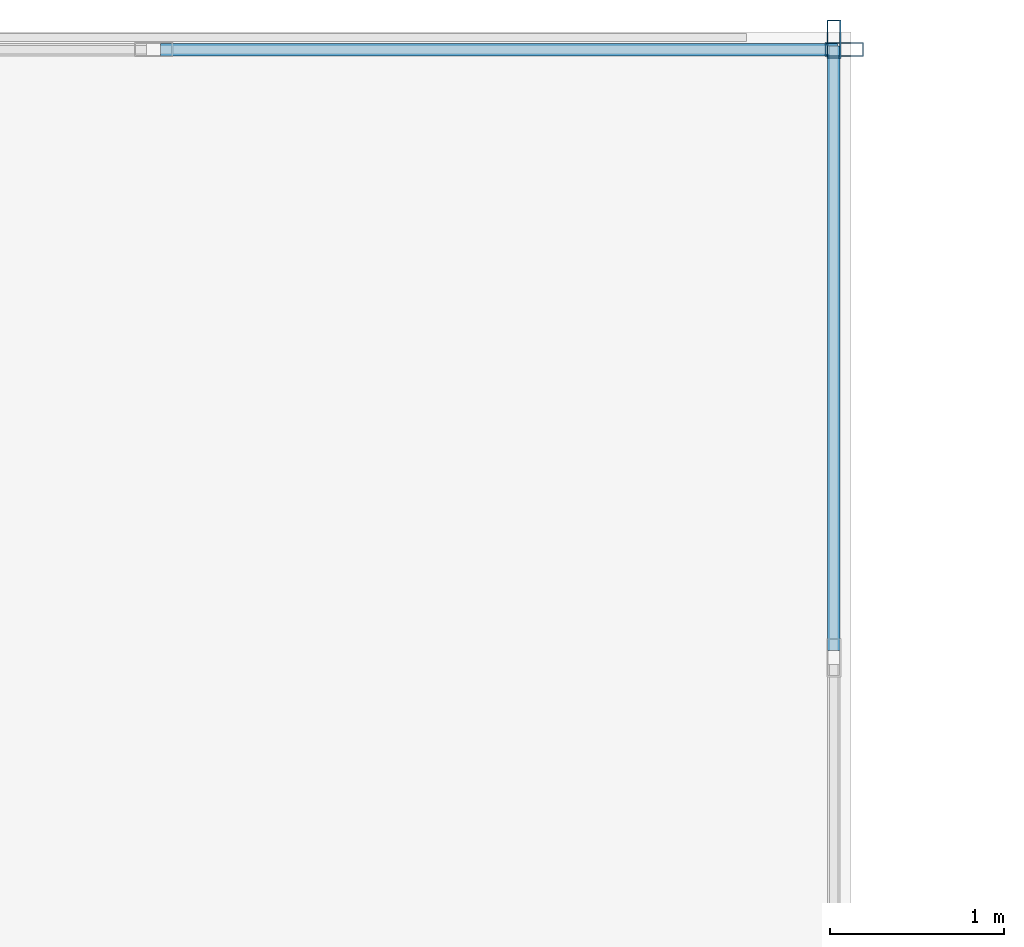
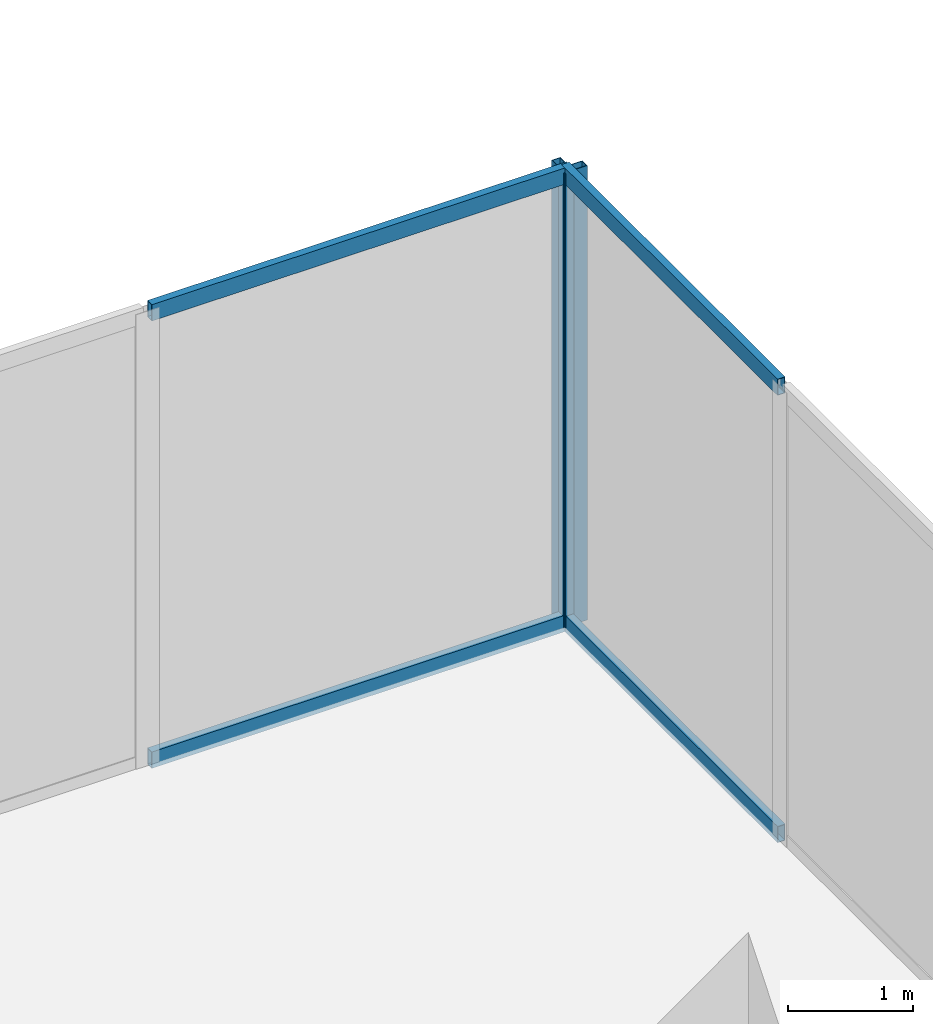
# One storey, part 16 of 32: 6 members, 2 elements without a shape of their own.
"""IFC4 building model written with IfcOpenShell, lengths in metres."""

from ifc_helpers import new_model, si_unit, direction, frame, origin, origin_2d, place, context, subcontext, project, spatial, hollow_rectangle, extrude, source, transform, mapped, material, layer, layer_set, material_profile, profile_set, type_object, type_shapes, element, aggregate, save


model = new_model("IFC4")

# Units and contexts
model_context = context("Model", 3, precision=1e-05, world=origin(), true_north=direction((0.0, 1.0)))
body_context = subcontext(model_context, "Body", "Model", "MODEL_VIEW")
ifc_project = project(units=[si_unit("LENGTHUNIT", "METRE"), si_unit("AREAUNIT", "SQUARE_METRE"), si_unit("VOLUMEUNIT", "CUBIC_METRE"), si_unit("PLANEANGLEUNIT", "RADIAN"), si_unit("MASSUNIT", "GRAM", prefix="KILO")], contexts=[model_context])

# Site, building, storey
site_placement = place(None, origin())
site = spatial("IfcSite", under=ifc_project, at=site_placement, CompositionType="ELEMENT")
building_placement = place(site_placement, origin())
building = spatial("IfcBuilding", under=site, at=building_placement, Name="Haelvirn Gate Laboratories", CompositionType="ELEMENT")
storey_placement = place(building_placement, frame((0.0, 0.0, 5.39990234375)))
storey = spatial("IfcBuildingStorey", under=building, at=storey_placement, Name="L02", CompositionType="ELEMENT", Elevation=5.39990234375)

# Curtain wall, member
ifc_material_1 = material(Name="Anodised bronze unitised aluminium & triple low-E glass", Category="aluminium")
ifc_layer = layer(ifc_material_1, 0.18798828125, Name="CW-SYS-1")
ifc_layer_set = layer_set([ifc_layer], Name="Anodised bronze unitised aluminium & triple low-E glass")
curtain_wall_type = type_object("IfcCurtainWallType", Name="CW-SYS-1", PredefinedType="NOTDEFINED", material=ifc_layer_set)
curtain_wall_1_placement = place(storey_placement, origin())
curtain_wall_1 = element("IfcCurtainWall", 1, at=curtain_wall_1_placement, inside=storey, type_object=curtain_wall_type, Name="L02 Unitised Curtain Wall CW-L02-P0-E01", PredefinedType="NOTDEFINED")
ifc_material_2 = material(Name="Extruded aluminium 6063-T6 (anodised bronze)", Category="aluminium")
ifc_material_profile_1 = material_profile(ifc_material_2, hollow_rectangle(XDim=0.080078125, YDim=0.219970703125, WallThickness=0.006103515625, at=origin_2d()), Name="CWM-220x80x6")
ifc_profile_set_1 = profile_set([ifc_material_profile_1], Name="Extruded aluminium 6063-T6 (anodised bronze)")
member_type_1 = type_object("IfcMemberType", Name="CWM-T220", PredefinedType="MULLION", material=ifc_profile_set_1)
shared_shape_1 = source(origin(), body_context, "Body", "SweptSolid", [
    extrude(hollow_rectangle(XDim=0.080078125, YDim=0.219970703125, WallThickness=0.006103515625, at=origin_2d()), origin(), (0.0, 0.0, 1.0), 4.4501953125),
])
type_shapes(member_type_1, [shared_shape_1])
member_1_placement = place(storey_placement, frame((25.300048828125, 49.360107421875, 0.0), z_axis=(0.0, 0.0, 1.0), x_axis=(-1.0, 0.0, 0.0)))
member_1 = element("IfcMember", 2, at=member_1_placement, type_object=member_type_1, Name="CW1 mullion 15", PredefinedType="MULLION", context=body_context, shape_type="MappedRepresentation", body=[
    mapped(shared_shape_1, transform((0.0, 0.0, 0.0), scale=1.0)),
])

curtain_wall_2_placement = place(storey_placement, origin())
curtain_wall_2 = element("IfcCurtainWall", 3, at=curtain_wall_2_placement, inside=storey, type_object=curtain_wall_type, Name="L02 Unitised Curtain Wall CW-L02-P0-E02-1", PredefinedType="NOTDEFINED")
member_2_placement = place(storey_placement, frame((25.360107421875, 49.300048828125, 0.0), z_axis=(0.0, 0.0, 1.0), x_axis=(0.0, 1.0, 0.0)))
member_2 = element("IfcMember", 4, at=member_2_placement, type_object=member_type_1, Name="CW1 mullion 7", PredefinedType="MULLION", context=body_context, shape_type="MappedRepresentation", body=[
    mapped(shared_shape_1, transform((0.0, 0.0, 0.0), scale=1.0)),
])

# Member
ifc_material_profile_2 = material_profile(ifc_material_2, hollow_rectangle(XDim=0.070068359375, YDim=0.159912109375, WallThickness=0.0048828125, at=origin_2d()), Name="CWT-160x70x5")
ifc_profile_set_2 = profile_set([ifc_material_profile_2], Name="Extruded aluminium 6063-T6 (anodised bronze)")
member_type_2 = type_object("IfcMemberType", Name="CWT-T160", PredefinedType="USERDEFINED", material=ifc_profile_set_2)
shared_shape_2 = source(origin(), body_context, "Body", "SweptSolid", [
    extrude(hollow_rectangle(XDim=0.070068359375, YDim=0.159912109375, WallThickness=0.0048828125, at=origin_2d()), origin(), (0.0, 0.0, 1.0), 3.4658203125),
])
member_3_placement = place(storey_placement, frame((25.300048828125, 45.854248046875, 0.03515625), z_axis=(0.0, 1.0, 0.0), x_axis=(-1.0, 0.0, 0.0)))
member_3 = element("IfcMember", 5, at=member_3_placement, type_object=member_type_2, Name="CW1 transom 14.1", ObjectType="TRANSOM", PredefinedType="USERDEFINED", context=body_context, shape_type="MappedRepresentation", body=[
    mapped(shared_shape_2, transform((0.0, 0.0, 0.0), scale=1.0)),
])

member_4_placement = place(storey_placement, frame((25.300048828125, 45.854248046875, 4.4150390625), z_axis=(0.0, 1.0, 0.0), x_axis=(-1.0, 0.0, 0.0)))
member_4 = element("IfcMember", 6, at=member_4_placement, type_object=member_type_2, Name="CW1 transom 14.2", ObjectType="TRANSOM", PredefinedType="USERDEFINED", context=body_context, shape_type="MappedRepresentation", body=[
    mapped(shared_shape_2, transform((0.0, 0.0, 0.0), scale=1.0)),
])

aggregate(curtain_wall_1, [member_1, member_3, member_4])

shared_shape_3 = source(origin(), body_context, "Body", "SweptSolid", [
    extrude(hollow_rectangle(XDim=0.070068359375, YDim=0.159912109375, WallThickness=0.0048828125, at=origin_2d()), origin(), (0.0, 0.0, 1.0), 3.880126953125),
])
type_shapes(member_type_2, [shared_shape_2, shared_shape_3])
member_5_placement = place(storey_placement, frame((21.43994140625, 49.300048828125, 0.03515625), z_axis=(1.0, 0.0, 0.0), x_axis=(0.0, 1.0, 0.0)))
member_5 = element("IfcMember", 7, at=member_5_placement, type_object=member_type_2, Name="CW1 transom 6.1", ObjectType="TRANSOM", PredefinedType="USERDEFINED", context=body_context, shape_type="MappedRepresentation", body=[
    mapped(shared_shape_3, transform((0.0, 0.0, 0.0), scale=1.0)),
])

member_6_placement = place(storey_placement, frame((21.43994140625, 49.300048828125, 4.4150390625), z_axis=(1.0, 0.0, 0.0), x_axis=(0.0, 1.0, 0.0)))
member_6 = element("IfcMember", 8, at=member_6_placement, type_object=member_type_2, Name="CW1 transom 6.2", ObjectType="TRANSOM", PredefinedType="USERDEFINED", context=body_context, shape_type="MappedRepresentation", body=[
    mapped(shared_shape_3, transform((0.0, 0.0, 0.0), scale=1.0)),
])

aggregate(curtain_wall_2, [member_2, member_5, member_6])

save(model, "model.ifc")
